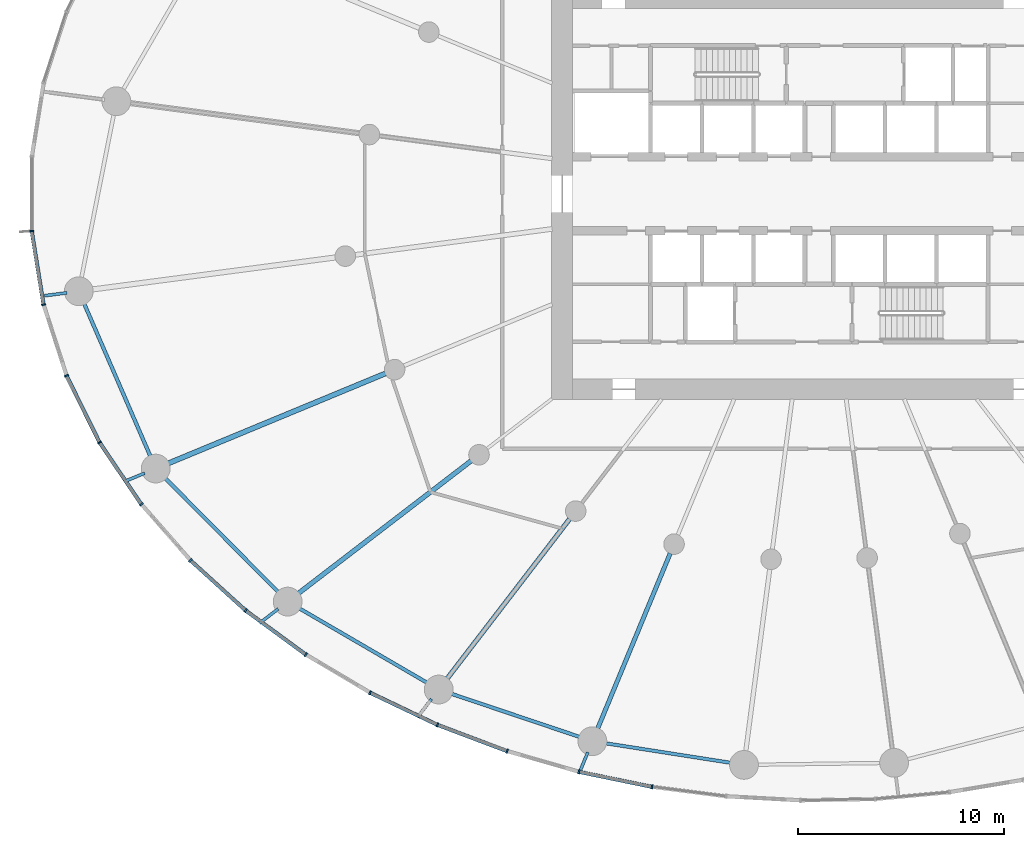
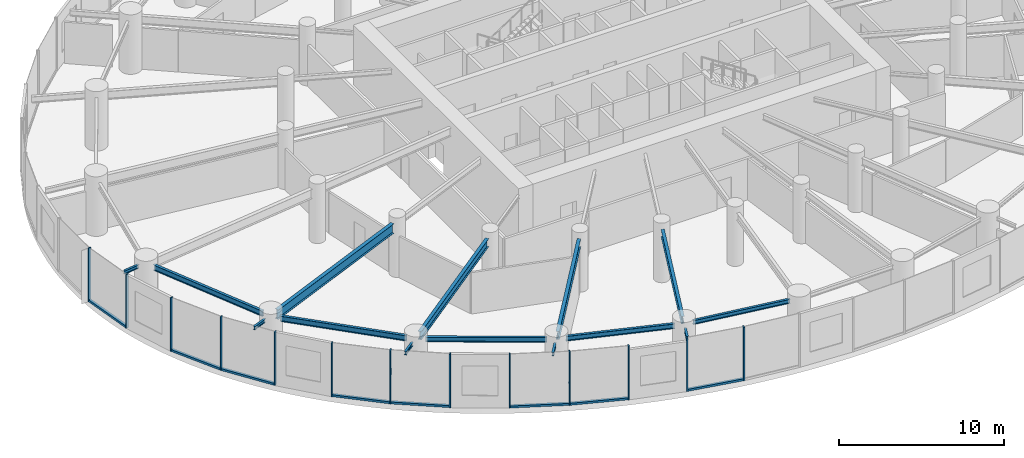
# One storey, part 2 of 19: 21 members, 14 beams, 3 elements without a shape of their own.
"""IFC4 building model written with IfcOpenShell, lengths in metres."""

from ifc_helpers import new_model, si_unit, direction, frame, origin, origin_2d, place, context, subcontext, project, spatial, rectangle, i_section, extrude, source, transform, mapped, material, layer, layer_set, material_profile, profile_set, type_object, element, aggregate, save


model = new_model("IFC4")

# Units and contexts
model_context = context("Model", 3, precision=1e-05, world=origin(), true_north=direction((0.0, 1.0)))
body_context = subcontext(model_context, "Body", "Model", "MODEL_VIEW")
ifc_project = project(units=[si_unit("LENGTHUNIT", "METRE"), si_unit("AREAUNIT", "SQUARE_METRE"), si_unit("VOLUMEUNIT", "CUBIC_METRE"), si_unit("PLANEANGLEUNIT", "RADIAN"), si_unit("MASSUNIT", "GRAM", prefix="KILO")], contexts=[model_context])

# Site, building, storey
site_placement = place(None, origin())
site = spatial("IfcSite", under=ifc_project, at=site_placement, CompositionType="ELEMENT")
building_placement = place(site_placement, origin())
building = spatial("IfcBuilding", under=site, at=building_placement, Name="Spindrift Exchange Tower", CompositionType="ELEMENT")
storey_placement = place(building_placement, frame((0.0, 0.0, 22.60009765625)))
storey = spatial("IfcBuildingStorey", under=building, at=storey_placement, Name="L05", CompositionType="ELEMENT", Elevation=22.60009765625)

# Beams
ifc_material_1 = material(Name="Steel Grade 300", Category="steel")
ifc_material_profile_1 = material_profile(ifc_material_1, i_section(OverallWidth=0.25, OverallDepth=0.699951171875, WebThickness=0.008056640625, FlangeThickness=0.011962890625, at=origin_2d()), Name="700WB115")
ifc_profile_set_1 = profile_set([ifc_material_profile_1], Name="Steel Grade 300")
beam_type_1 = type_object("IfcBeamType", Name="Floor Beam 700WB115 Steel Grade 300", PredefinedType="BEAM", material=ifc_profile_set_1)
shared_shape_1 = source(origin(), body_context, "Body", "SweptSolid", [
    extrude(i_section(OverallWidth=0.25, OverallDepth=0.699951171875, WebThickness=0.008056640625, FlangeThickness=0.011962890625, at=origin_2d()), origin(), (0.0, 0.0, 1.0), 11.505859375),
])
beam_1_placement = place(storey_placement, frame((30.917236328125, 39.26708984375, 3.599853515625), z_axis=(-0.923881578419, -0.38267849307, 0.0), x_axis=(0.38267849307, -0.923881578419, 0.0)))
element("IfcBeam", 1, at=beam_1_placement, inside=storey, type_object=beam_type_1, Name="L05 radial beam R14B", PredefinedType="BEAM", context=body_context, shape_type="MappedRepresentation", body=[
    mapped(shared_shape_1, transform((0.0, 0.0, 0.0), scale=1.0)),
])
ifc_material_profile_2 = material_profile(ifc_material_1, i_section(OverallWidth=0.22802734375, OverallDepth=0.60693359375, WebThickness=0.01123046875, FlangeThickness=0.017333984375, FilletRadius=0.013916015625, at=origin_2d()), Name="610UB113")
ifc_profile_set_2 = profile_set([ifc_material_profile_2], Name="Steel Grade 300")
beam_type_2 = type_object("IfcBeamType", Name="Floor Beam 610UB113 Steel Grade 300", PredefinedType="BEAM", material=ifc_profile_set_2)
shared_shape_2 = source(origin(), body_context, "Body", "SweptSolid", [
    extrude(i_section(OverallWidth=0.22802734375, OverallDepth=0.60693359375, WebThickness=0.01123046875, FlangeThickness=0.017333984375, FilletRadius=0.013916015625, at=origin_2d()), origin(), (0.0, 0.0, 1.0), 10.66357421875),
])
beam_2_placement = place(storey_placement, frame((35.08447265625, 35.020263671875, 3.646484375), z_axis=(-0.793357926757, -0.608755451764, 0.0), x_axis=(0.608755451764, -0.793357926757, 0.0)))
element("IfcBeam", 2, at=beam_2_placement, inside=storey, type_object=beam_type_2, Name="L05 radial beam R15B", PredefinedType="BEAM", context=body_context, shape_type="MappedRepresentation", body=[
    mapped(shared_shape_2, transform((0.0, 0.0, 0.0), scale=1.0)),
])
shared_shape_3 = source(origin(), body_context, "Body", "SweptSolid", [
    extrude(i_section(OverallWidth=0.22802734375, OverallDepth=0.60693359375, WebThickness=0.01123046875, FlangeThickness=0.017333984375, FilletRadius=0.013916015625, at=origin_2d()), origin(), (0.0, 0.0, 1.0), 9.87548828125),
])
beam_3_placement = place(storey_placement, frame((39.872802734375, 32.1953125, 3.646484375), z_axis=(-0.608772470836, -0.793344867477, 0.0), x_axis=(0.793344867477, -0.608772470836, 0.0)))
element("IfcBeam", 3, at=beam_3_placement, inside=storey, type_object=beam_type_2, Name="L05 radial beam R16B", PredefinedType="BEAM", context=body_context, shape_type="MappedRepresentation", body=[
    mapped(shared_shape_3, transform((0.0, 0.0, 0.0), scale=1.0)),
])
ifc_material_profile_3 = material_profile(ifc_material_1, i_section(OverallWidth=0.208984375, OverallDepth=0.532958984375, WebThickness=0.01025390625, FlangeThickness=0.015625, FilletRadius=0.013916015625, at=origin_2d()), Name="530UB92.4")
ifc_profile_set_3 = profile_set([ifc_material_profile_3], Name="Steel Grade 300")
beam_type_3 = type_object("IfcBeamType", Name="Floor Beam 530UB92.4 Steel Grade 300", PredefinedType="BEAM", material=ifc_profile_set_3)
shared_shape_4 = source(origin(), body_context, "Body", "SweptSolid", [
    extrude(i_section(OverallWidth=0.208984375, OverallDepth=0.532958984375, WebThickness=0.01025390625, FlangeThickness=0.015625, FilletRadius=0.013916015625, at=origin_2d()), origin(), (0.0, 0.0, 1.0), 9.309326171875),
])
beam_4_placement = place(storey_placement, frame((44.76171875, 30.525146484375, 3.683349609375), z_axis=(-0.382685326691, -0.923878747853, 0.0), x_axis=(0.923878747853, -0.382685326691, 0.0)))
element("IfcBeam", 4, at=beam_4_placement, inside=storey, type_object=beam_type_3, Name="L05 radial beam R17B", PredefinedType="BEAM", context=body_context, shape_type="MappedRepresentation", body=[
    mapped(shared_shape_4, transform((0.0, 0.0, 0.0), scale=1.0)),
])
ifc_material_profile_4 = material_profile(ifc_material_1, i_section(OverallWidth=0.177978515625, OverallDepth=0.406005859375, WebThickness=0.0078125, FlangeThickness=0.0126953125, FilletRadius=0.013916015625, at=origin_2d()), Name="410UB59.7")
ifc_profile_set_4 = profile_set([ifc_material_profile_4], Name="Steel Grade 300")
beam_type_4 = type_object("IfcBeamType", Name="Edge Beam 410UB59.7 Steel Grade 300", PredefinedType="SPANDREL", material=ifc_profile_set_4)
shared_shape_5 = source(origin(), body_context, "Body", "SweptSolid", [
    extrude(i_section(OverallWidth=0.177978515625, OverallDepth=0.406005859375, WebThickness=0.0078125, FlangeThickness=0.0126953125, FilletRadius=0.013916015625, at=origin_2d()), origin(), (0.0, 0.0, 1.0), 8.23681640625),
])
beam_5_placement = place(storey_placement, frame((16.240478515625, 42.729736328125, 3.746826171875), z_axis=(0.398186298756, -0.91730456855, 0.0), x_axis=(0.91730456855, 0.398186298756, 0.0)))
element("IfcBeam", 5, at=beam_5_placement, inside=storey, type_object=beam_type_4, Name="L05 edge beam E13", PredefinedType="SPANDREL", context=body_context, shape_type="MappedRepresentation", body=[
    mapped(shared_shape_5, transform((0.0, 0.0, 0.0), scale=1.0)),
])
shared_shape_6 = source(origin(), body_context, "Body", "SweptSolid", [
    extrude(i_section(OverallWidth=0.177978515625, OverallDepth=0.406005859375, WebThickness=0.0078125, FlangeThickness=0.0126953125, FilletRadius=0.013916015625, at=origin_2d()), origin(), (0.0, 0.0, 1.0), 7.947509765625),
])
beam_6_placement = place(storey_placement, frame((20.159423828125, 34.230224609375, 3.746826171875), z_axis=(0.704197895271, -0.710003749494, 0.0), x_axis=(0.710003749494, 0.704197895271, 0.0)))
element("IfcBeam", 6, at=beam_6_placement, inside=storey, type_object=beam_type_4, Name="L05 edge beam E14", PredefinedType="SPANDREL", context=body_context, shape_type="MappedRepresentation", body=[
    mapped(shared_shape_6, transform((0.0, 0.0, 0.0), scale=1.0)),
])
ifc_material_profile_5 = material_profile(ifc_material_1, i_section(OverallWidth=0.172119140625, OverallDepth=0.35888671875, WebThickness=0.008056640625, FlangeThickness=0.012939453125, FilletRadius=0.013916015625, at=origin_2d()), Name="360UB56.7")
ifc_profile_set_5 = profile_set([ifc_material_profile_5], Name="Steel Grade 300")
beam_type_5 = type_object("IfcBeamType", Name="Edge Beam 360UB56.7 Steel Grade 300", PredefinedType="SPANDREL", material=ifc_profile_set_5)
shared_shape_7 = source(origin(), body_context, "Body", "SweptSolid", [
    extrude(i_section(OverallWidth=0.172119140625, OverallDepth=0.35888671875, WebThickness=0.008056640625, FlangeThickness=0.012939453125, FilletRadius=0.013916015625, at=origin_2d()), origin(), (0.0, 0.0, 1.0), 7.33740234375),
])
beam_7_placement = place(storey_placement, frame((26.66552734375, 27.8837890625, 3.7705078125), z_axis=(0.864211826308, -0.503128134047, 0.0), x_axis=(0.503128134047, 0.864211826308, 0.0)))
element("IfcBeam", 7, at=beam_7_placement, inside=storey, type_object=beam_type_5, Name="L05 edge beam E15", PredefinedType="SPANDREL", context=body_context, shape_type="MappedRepresentation", body=[
    mapped(shared_shape_7, transform((0.0, 0.0, 0.0), scale=1.0)),
])
shared_shape_8 = source(origin(), body_context, "Body", "SweptSolid", [
    extrude(i_section(OverallWidth=0.172119140625, OverallDepth=0.35888671875, WebThickness=0.008056640625, FlangeThickness=0.012939453125, FilletRadius=0.013916015625, at=origin_2d()), origin(), (0.0, 0.0, 1.0), 6.72021484375),
])
beam_8_placement = place(storey_placement, frame((34.0576171875, 23.71533203125, 3.7705078125), z_axis=(0.947851749681, -0.318711563372, 0.0), x_axis=(0.318711563372, 0.947851749681, 0.0)))
element("IfcBeam", 8, at=beam_8_placement, inside=storey, type_object=beam_type_5, Name="L05 edge beam E16", PredefinedType="SPANDREL", context=body_context, shape_type="MappedRepresentation", body=[
    mapped(shared_shape_8, transform((0.0, 0.0, 0.0), scale=1.0)),
])
ifc_material_profile_6 = material_profile(ifc_material_1, i_section(OverallWidth=0.1650390625, OverallDepth=0.303955078125, WebThickness=0.006103515625, FlangeThickness=0.01025390625, FilletRadius=0.011474609375, at=origin_2d()), Name="310UB40.4")
ifc_profile_set_6 = profile_set([ifc_material_profile_6], Name="Steel Grade 300")
beam_type_6 = type_object("IfcBeamType", Name="Edge Beam 310UB40.4 Steel Grade 300", PredefinedType="SPANDREL", material=ifc_profile_set_6)
shared_shape_9 = source(origin(), body_context, "Body", "SweptSolid", [
    extrude(i_section(OverallWidth=0.1650390625, OverallDepth=0.303955078125, WebThickness=0.006103515625, FlangeThickness=0.01025390625, FilletRadius=0.011474609375, at=origin_2d()), origin(), (0.0, 0.0, 1.0), 6.297119140625),
])
beam_9_placement = place(storey_placement, frame((41.55029296875, 21.29931640625, 3.7978515625), z_axis=(0.98802902915, -0.154268070436, 0.0), x_axis=(0.154268070436, 0.98802902915, 0.0)))
element("IfcBeam", 9, at=beam_9_placement, inside=storey, type_object=beam_type_6, Name="L05 edge beam E17", PredefinedType="SPANDREL", context=body_context, shape_type="MappedRepresentation", body=[
    mapped(shared_shape_9, transform((0.0, 0.0, 0.0), scale=1.0)),
])
ifc_material_profile_7 = material_profile(ifc_material_1, i_section(OverallWidth=0.14599609375, OverallDepth=0.251953125, WebThickness=0.006103515625, FlangeThickness=0.008544921875, FilletRadius=0.011962890625, at=origin_2d()), Name="250UB31.4")
ifc_profile_set_7 = profile_set([ifc_material_profile_7], Name="Steel Grade 300")
beam_type_7 = type_object("IfcBeamType", Name="Cantilever Beam 250UB31.4 Steel Grade 300", PredefinedType="BEAM", material=ifc_profile_set_7)
shared_shape_10 = source(origin(), body_context, "Body", "SweptSolid", [
    extrude(i_section(OverallWidth=0.14599609375, OverallDepth=0.251953125, WebThickness=0.006103515625, FlangeThickness=0.008544921875, FilletRadius=0.011962890625, at=origin_2d()), origin(), (0.0, 0.0, 1.0), 1.11181640625),
])
beam_10_placement = place(storey_placement, frame((15.4345703125, 43.18603515625, 3.823974609375), z_axis=(-0.991456537653, -0.130437471399, 0.0), x_axis=(0.130437471399, -0.991456537653, 0.0)))
element("IfcBeam", 10, at=beam_10_placement, inside=storey, type_object=beam_type_7, Name="L05 cantilever beam R13T", PredefinedType="BEAM", context=body_context, shape_type="MappedRepresentation", body=[
    mapped(shared_shape_10, transform((0.0, 0.0, 0.0), scale=1.0)),
])
shared_shape_11 = source(origin(), body_context, "Body", "SweptSolid", [
    extrude(i_section(OverallWidth=0.14599609375, OverallDepth=0.251953125, WebThickness=0.006103515625, FlangeThickness=0.008544921875, FilletRadius=0.011962890625, at=origin_2d()), origin(), (0.0, 0.0, 1.0), 1.09375),
])
beam_11_placement = place(storey_placement, frame((19.21533203125, 34.420166015625, 3.823974609375), z_axis=(-0.92391345962, -0.382601514808, 0.0), x_axis=(0.382601514808, -0.92391345962, 0.0)))
element("IfcBeam", 11, at=beam_11_placement, inside=storey, type_object=beam_type_7, Name="L05 cantilever beam R14T", PredefinedType="BEAM", context=body_context, shape_type="MappedRepresentation", body=[
    mapped(shared_shape_11, transform((0.0, 0.0, 0.0), scale=1.0)),
])
shared_shape_12 = source(origin(), body_context, "Body", "SweptSolid", [
    extrude(i_section(OverallWidth=0.14599609375, OverallDepth=0.251953125, WebThickness=0.006103515625, FlangeThickness=0.008544921875, FilletRadius=0.011962890625, at=origin_2d()), origin(), (0.0, 0.0, 1.0), 1.1494140625),
])
beam_12_placement = place(storey_placement, frame((25.704345703125, 27.822509765625, 3.823974609375), z_axis=(-0.793349883142, -0.608765934427, 0.0), x_axis=(0.608765934427, -0.793349883142, 0.0)))
element("IfcBeam", 12, at=beam_12_placement, inside=storey, type_object=beam_type_7, Name="L05 cantilever beam R15T", PredefinedType="BEAM", context=body_context, shape_type="MappedRepresentation", body=[
    mapped(shared_shape_12, transform((0.0, 0.0, 0.0), scale=1.0)),
])
shared_shape_13 = source(origin(), body_context, "Body", "SweptSolid", [
    extrude(i_section(OverallWidth=0.14599609375, OverallDepth=0.251953125, WebThickness=0.006103515625, FlangeThickness=0.008544921875, FilletRadius=0.011962890625, at=origin_2d()), origin(), (0.0, 0.0, 1.0), 1.085205078125),
])
beam_13_placement = place(storey_placement, frame((33.154541015625, 23.440185546875, 3.823974609375), z_axis=(-0.608710133529, -0.793392698063, 0.0), x_axis=(0.793392698063, -0.608710133529, 0.0)))
element("IfcBeam", 13, at=beam_13_placement, inside=storey, type_object=beam_type_7, Name="L05 cantilever beam R16T", PredefinedType="BEAM", context=body_context, shape_type="MappedRepresentation", body=[
    mapped(shared_shape_13, transform((0.0, 0.0, 0.0), scale=1.0)),
])
shared_shape_14 = source(origin(), body_context, "Body", "SweptSolid", [
    extrude(i_section(OverallWidth=0.14599609375, OverallDepth=0.251953125, WebThickness=0.006103515625, FlangeThickness=0.008544921875, FilletRadius=0.011962890625, at=origin_2d()), origin(), (0.0, 0.0, 1.0), 0.9697265625),
])
beam_14_placement = place(storey_placement, frame((40.755126953125, 20.852783203125, 3.823974609375), z_axis=(-0.382433327803, -0.923983089556, 0.0), x_axis=(0.923983089556, -0.382433327803, 0.0)))
element("IfcBeam", 14, at=beam_14_placement, inside=storey, type_object=beam_type_7, Name="L05 cantilever beam R17T", PredefinedType="BEAM", context=body_context, shape_type="MappedRepresentation", body=[
    mapped(shared_shape_14, transform((0.0, 0.0, 0.0), scale=1.0)),
])

# Curtain wall, members
ifc_material_2 = material(Name="Fritted laminated glass with bronze frame", Category="glass")
ifc_layer = layer(ifc_material_2, 0.199951171875)
ifc_layer_set = layer_set([ifc_layer], Name="ZONE 1 BRONZE FRITTED WALL")
curtain_wall_type = type_object("IfcCurtainWallType", Name="ZONE 1 BRONZE FRITTED WALL", PredefinedType="NOTDEFINED", material=ifc_layer_set)
curtain_wall_1_placement = place(storey_placement, origin())
curtain_wall_1 = element("IfcCurtainWall", 15, at=curtain_wall_1_placement, inside=storey, type_object=curtain_wall_type, Name="L05 Zone 1 Bronze Fritted Wall run 6", PredefinedType="NOTDEFINED")
ifc_material_3 = material(Name="Bronze anodised aluminium", Category="aluminium")
ifc_material_profile_8 = material_profile(ifc_material_3, rectangle(XDim=0.080078125, YDim=0.199951171875, at=origin_2d()), Name="ZONE 1 BRONZE FRITTED WALL MULLION 80X200")
ifc_profile_set_8 = profile_set([ifc_material_profile_8], Name="Bronze anodised aluminium")
member_type_1 = type_object("IfcMemberType", Name="ZONE 1 BRONZE FRITTED WALL MULLION 80X200", PredefinedType="MULLION", material=ifc_profile_set_8)
shared_shape_15 = source(origin(), body_context, "Body", "SweptSolid", [
    extrude(rectangle(XDim=0.080078125, YDim=0.199951171875, at=origin_2d()), origin(), (0.0, 0.0, 1.0), 3.949951171875),
])
member_1_placement = place(storey_placement, frame((13.722412109375, 46.187744140625, 0.0), z_axis=(0.0, 0.0, 1.0), x_axis=(0.079352003657, -0.996846657975, 0.0)))
member_1 = element("IfcMember", 16, at=member_1_placement, type_object=member_type_1, Name="L05 mullion CW-1.31", PredefinedType="MULLION", context=body_context, shape_type="MappedRepresentation", body=[
    mapped(shared_shape_15, transform((0.0, 0.0, 0.0), scale=1.0)),
])
member_2_placement = place(storey_placement, frame((14.2958984375, 42.60888671875, 0.0), z_axis=(0.0, 0.0, 1.0), x_axis=(0.233790990177, -0.972286877888, 0.0)))
member_2 = element("IfcMember", 17, at=member_2_placement, type_object=member_type_1, Name="L05 mullion CW-1.32", PredefinedType="MULLION", context=body_context, shape_type="MappedRepresentation", body=[
    mapped(shared_shape_15, transform((0.0, 0.0, 0.0), scale=1.0)),
])
member_3_placement = place(storey_placement, frame((15.412109375, 39.160400390625, 0.0), z_axis=(0.0, 0.0, 1.0), x_axis=(0.376526512453, -0.926405842717, 0.0)))
member_3 = element("IfcMember", 18, at=member_3_placement, type_object=member_type_1, Name="L05 mullion CW-1.33", PredefinedType="MULLION", context=body_context, shape_type="MappedRepresentation", body=[
    mapped(shared_shape_15, transform((0.0, 0.0, 0.0), scale=1.0)),
])
member_4_placement = place(storey_placement, frame((17.018310546875, 35.910400390625, 0.0), z_axis=(0.0, 0.0, 1.0), x_axis=(0.502772312764, -0.86441888082, 0.0)))
member_4 = element("IfcMember", 19, at=member_4_placement, type_object=member_type_1, Name="L05 mullion CW-1.34", PredefinedType="MULLION", context=body_context, shape_type="MappedRepresentation", body=[
    mapped(shared_shape_15, transform((0.0, 0.0, 0.0), scale=1.0)),
])
member_5_placement = place(storey_placement, frame((19.04931640625, 32.906982421875, 0.0), z_axis=(0.0, 0.0, 1.0), x_axis=(0.610695844743, -0.791865256981, 0.0)))
member_5 = element("IfcMember", 20, at=member_5_placement, type_object=member_type_1, Name="L05 mullion CW-1.35", PredefinedType="MULLION", context=body_context, shape_type="MappedRepresentation", body=[
    mapped(shared_shape_15, transform((0.0, 0.0, 0.0), scale=1.0)),
])
member_6_placement = place(storey_placement, frame((21.4384765625, 30.17919921875, 0.0), z_axis=(0.0, 0.0, 1.0), x_axis=(0.700723074347, -0.713433369753, 0.0)))
member_6 = element("IfcMember", 21, at=member_6_placement, type_object=member_type_1, Name="L05 mullion CW-1.36", PredefinedType="MULLION", context=body_context, shape_type="MappedRepresentation", body=[
    mapped(shared_shape_15, transform((0.0, 0.0, 0.0), scale=1.0)),
])

curtain_wall_2_placement = place(storey_placement, origin())
curtain_wall_2 = element("IfcCurtainWall", 22, at=curtain_wall_2_placement, inside=storey, type_object=curtain_wall_type, Name="L05 Zone 1 Bronze Fritted Wall run 7", PredefinedType="NOTDEFINED")
member_7_placement = place(storey_placement, frame((24.123046875, 27.7412109375, 0.0), z_axis=(0.0, 0.0, 1.0), x_axis=(0.774543413522, -0.632520751099, 0.0)))
member_7 = element("IfcMember", 23, at=member_7_placement, type_object=member_type_1, Name="L05 mullion CW-1.37", PredefinedType="MULLION", context=body_context, shape_type="MappedRepresentation", body=[
    mapped(shared_shape_15, transform((0.0, 0.0, 0.0), scale=1.0)),
])
member_8_placement = place(storey_placement, frame((27.048583984375, 25.597900390625, 0.0), z_axis=(0.0, 0.0, 1.0), x_axis=(0.834295578557, -0.551317410935, 0.0)))
member_8 = element("IfcMember", 24, at=member_8_placement, type_object=member_type_1, Name="L05 mullion CW-1.38", PredefinedType="MULLION", context=body_context, shape_type="MappedRepresentation", body=[
    mapped(shared_shape_15, transform((0.0, 0.0, 0.0), scale=1.0)),
])
member_9_placement = place(storey_placement, frame((30.16748046875, 23.7470703125, 0.0), z_axis=(0.0, 0.0, 1.0), x_axis=(0.882121824938, -0.4710213222, 0.0)))
member_9 = element("IfcMember", 25, at=member_9_placement, type_object=member_type_1, Name="L05 mullion CW-1.39", PredefinedType="MULLION", context=body_context, shape_type="MappedRepresentation", body=[
    mapped(shared_shape_15, transform((0.0, 0.0, 0.0), scale=1.0)),
])
member_10_placement = place(storey_placement, frame((33.44091796875, 22.1845703125, 0.0), z_axis=(0.0, 0.0, 1.0), x_axis=(0.919884060826, -0.392190406103, 0.0)))
member_10 = element("IfcMember", 26, at=member_10_placement, type_object=member_type_1, Name="L05 mullion CW-1.40", PredefinedType="MULLION", context=body_context, shape_type="MappedRepresentation", body=[
    mapped(shared_shape_15, transform((0.0, 0.0, 0.0), scale=1.0)),
])
member_11_placement = place(storey_placement, frame((36.834716796875, 20.904541015625, 0.0), z_axis=(0.0, 0.0, 1.0), x_axis=(0.949100307428, -0.314973977401, 0.0)))
member_11 = element("IfcMember", 27, at=member_11_placement, type_object=member_type_1, Name="L05 mullion CW-1.41", PredefinedType="MULLION", context=body_context, shape_type="MappedRepresentation", body=[
    mapped(shared_shape_15, transform((0.0, 0.0, 0.0), scale=1.0)),
])
member_12_placement = place(storey_placement, frame((40.320556640625, 19.9013671875, 0.0), z_axis=(0.0, 0.0, 1.0), x_axis=(0.970953934717, -0.23926649715, 0.0)))
member_12 = element("IfcMember", 28, at=member_12_placement, type_object=member_type_1, Name="L05 mullion CW-1.42", PredefinedType="MULLION", context=body_context, shape_type="MappedRepresentation", body=[
    mapped(shared_shape_15, transform((0.0, 0.0, 0.0), scale=1.0)),
])

# Curtain wall, member
curtain_wall_3_placement = place(storey_placement, origin())
curtain_wall_3 = element("IfcCurtainWall", 29, at=curtain_wall_3_placement, inside=storey, type_object=curtain_wall_type, Name="L05 Zone 1 Bronze Fritted Wall run 8", PredefinedType="NOTDEFINED")
member_13_placement = place(storey_placement, frame((43.873291015625, 19.169921875, 0.0), z_axis=(0.0, 0.0, 1.0), x_axis=(0.986321176845, -0.164834875275, 0.0)))
member_13 = element("IfcMember", 30, at=member_13_placement, type_object=member_type_1, Name="L05 mullion CW-1.43", PredefinedType="MULLION", context=body_context, shape_type="MappedRepresentation", body=[
    mapped(shared_shape_15, transform((0.0, 0.0, 0.0), scale=1.0)),
])
aggregate(curtain_wall_3, [member_13])

# Member
ifc_material_profile_9 = material_profile(ifc_material_3, rectangle(XDim=0.179931640625, YDim=0.14990234375, at=origin_2d()), Name="ZONE 1 BRONZE FRITTED WALL TRANSOM 180X150")
ifc_profile_set_9 = profile_set([ifc_material_profile_9], Name="Bronze anodised aluminium")
member_type_2 = type_object("IfcMemberType", Name="ZONE 1 BRONZE FRITTED WALL TRANSOM 180X150", PredefinedType="USERDEFINED", material=ifc_profile_set_9)
shared_shape_16 = source(origin(), body_context, "Body", "SweptSolid", [
    extrude(rectangle(XDim=0.179931640625, YDim=0.14990234375, at=origin_2d()), origin(), (0.0, 0.0, 1.0), 3.54443359375),
])
member_14_placement = place(storey_placement, frame((13.728759765625, 46.148193359375, 0.074951171875), z_axis=(0.15821884536, -0.987404069757, 0.0), x_axis=(0.987404069757, 0.15821884536, 0.0)))
member_14 = element("IfcMember", 31, at=member_14_placement, type_object=member_type_2, Name="L05 transom CW-1.31", ObjectType="TRANSOM", PredefinedType="USERDEFINED", context=body_context, shape_type="MappedRepresentation", body=[
    mapped(shared_shape_16, transform((0.0, 0.0, 0.0), scale=1.0)),
])

shared_shape_17 = source(origin(), body_context, "Body", "SweptSolid", [
    extrude(rectangle(XDim=0.179931640625, YDim=0.14990234375, at=origin_2d()), origin(), (0.0, 0.0, 1.0), 3.545654296875),
])
member_15_placement = place(storey_placement, frame((17.040771484375, 35.877197265625, 0.074951171875), z_axis=(0.560217664382, -0.828345440329, 0.0), x_axis=(0.828345440329, 0.560217664382, 0.0)))
member_15 = element("IfcMember", 32, at=member_15_placement, type_object=member_type_2, Name="L05 transom CW-1.34", ObjectType="TRANSOM", PredefinedType="USERDEFINED", context=body_context, shape_type="MappedRepresentation", body=[
    mapped(shared_shape_17, transform((0.0, 0.0, 0.0), scale=1.0)),
])

shared_shape_18 = source(origin(), body_context, "Body", "SweptSolid", [
    extrude(rectangle(XDim=0.179931640625, YDim=0.14990234375, at=origin_2d()), origin(), (0.0, 0.0, 1.0), 3.54736328125),
])
member_16_placement = place(storey_placement, frame((33.478271484375, 22.17041015625, 0.074951171875), z_axis=(0.935674191619, -0.352865140157, 0.0), x_axis=(0.352865140157, 0.935674191619, 0.0)))
member_16 = element("IfcMember", 33, at=member_16_placement, type_object=member_type_2, Name="L05 transom CW-1.40", ObjectType="TRANSOM", PredefinedType="USERDEFINED", context=body_context, shape_type="MappedRepresentation", body=[
    mapped(shared_shape_18, transform((0.0, 0.0, 0.0), scale=1.0)),
])

member_17_placement = place(storey_placement, frame((40.359619140625, 19.893310546875, 0.074951171875), z_axis=(0.979458642383, -0.201645153329, 0.0), x_axis=(0.201645153329, 0.979458642383, 0.0)))
member_17 = element("IfcMember", 34, at=member_17_placement, type_object=member_type_2, Name="L05 transom CW-1.42", ObjectType="TRANSOM", PredefinedType="USERDEFINED", context=body_context, shape_type="MappedRepresentation", body=[
    mapped(shared_shape_18, transform((0.0, 0.0, 0.0), scale=1.0)),
])

shared_shape_19 = source(origin(), body_context, "Body", "SweptSolid", [
    extrude(rectangle(XDim=0.179931640625, YDim=0.14990234375, at=origin_2d()), origin(), (0.0, 0.0, 1.0), 3.547119140625),
])
member_18_placement = place(storey_placement, frame((30.20361328125, 23.729736328125, 0.074951171875), z_axis=(0.902454281406, -0.430785642718, 0.0), x_axis=(0.430785642718, 0.902454281406, 0.0)))
member_18 = element("IfcMember", 35, at=member_18_placement, type_object=member_type_2, Name="L05 transom CW-1.39", ObjectType="TRANSOM", PredefinedType="USERDEFINED", context=body_context, shape_type="MappedRepresentation", body=[
    mapped(shared_shape_19, transform((0.0, 0.0, 0.0), scale=1.0)),
])

shared_shape_20 = source(origin(), body_context, "Body", "SweptSolid", [
    extrude(rectangle(XDim=0.179931640625, YDim=0.14990234375, at=origin_2d()), origin(), (0.0, 0.0, 1.0), 3.54638671875),
])
member_19_placement = place(storey_placement, frame((21.468017578125, 30.15234375, 0.074951171875), z_axis=(0.740329328552, -0.672244364265, 0.0), x_axis=(0.672244364265, 0.740329328552, 0.0)))
member_19 = element("IfcMember", 36, at=member_19_placement, type_object=member_type_2, Name="L05 transom CW-1.36", ObjectType="TRANSOM", PredefinedType="USERDEFINED", context=body_context, shape_type="MappedRepresentation", body=[
    mapped(shared_shape_20, transform((0.0, 0.0, 0.0), scale=1.0)),
])

shared_shape_21 = source(origin(), body_context, "Body", "SweptSolid", [
    extrude(rectangle(XDim=0.179931640625, YDim=0.14990234375, at=origin_2d()), origin(), (0.0, 0.0, 1.0), 3.545166015625),
])
member_20_placement = place(storey_placement, frame((15.429931640625, 39.12451171875, 0.074951171875), z_axis=(0.443076928043, -0.89648359485, 0.0), x_axis=(0.89648359485, 0.443076928043, 0.0)))
member_20 = element("IfcMember", 37, at=member_20_placement, type_object=member_type_2, Name="L05 transom CW-1.33", ObjectType="TRANSOM", PredefinedType="USERDEFINED", context=body_context, shape_type="MappedRepresentation", body=[
    mapped(shared_shape_21, transform((0.0, 0.0, 0.0), scale=1.0)),
])

aggregate(curtain_wall_1, [member_1, member_14, member_2, member_3, member_20, member_4, member_15, member_5, member_6, member_19])

shared_shape_22 = source(origin(), body_context, "Body", "SweptSolid", [
    extrude(rectangle(XDim=0.179931640625, YDim=0.14990234375, at=origin_2d()), origin(), (0.0, 0.0, 1.0), 3.546630859375),
])
member_21_placement = place(storey_placement, frame((24.1552734375, 27.7177734375, 0.074951171875), z_axis=(0.806608468908, -0.591086100231, 0.0), x_axis=(0.591086100231, 0.806608468908, 0.0)))
member_21 = element("IfcMember", 38, at=member_21_placement, type_object=member_type_2, Name="L05 transom CW-1.37", ObjectType="TRANSOM", PredefinedType="USERDEFINED", context=body_context, shape_type="MappedRepresentation", body=[
    mapped(shared_shape_22, transform((0.0, 0.0, 0.0), scale=1.0)),
])

aggregate(curtain_wall_2, [member_7, member_21, member_8, member_9, member_18, member_10, member_16, member_11, member_12, member_17])

save(model, "model.ifc")
